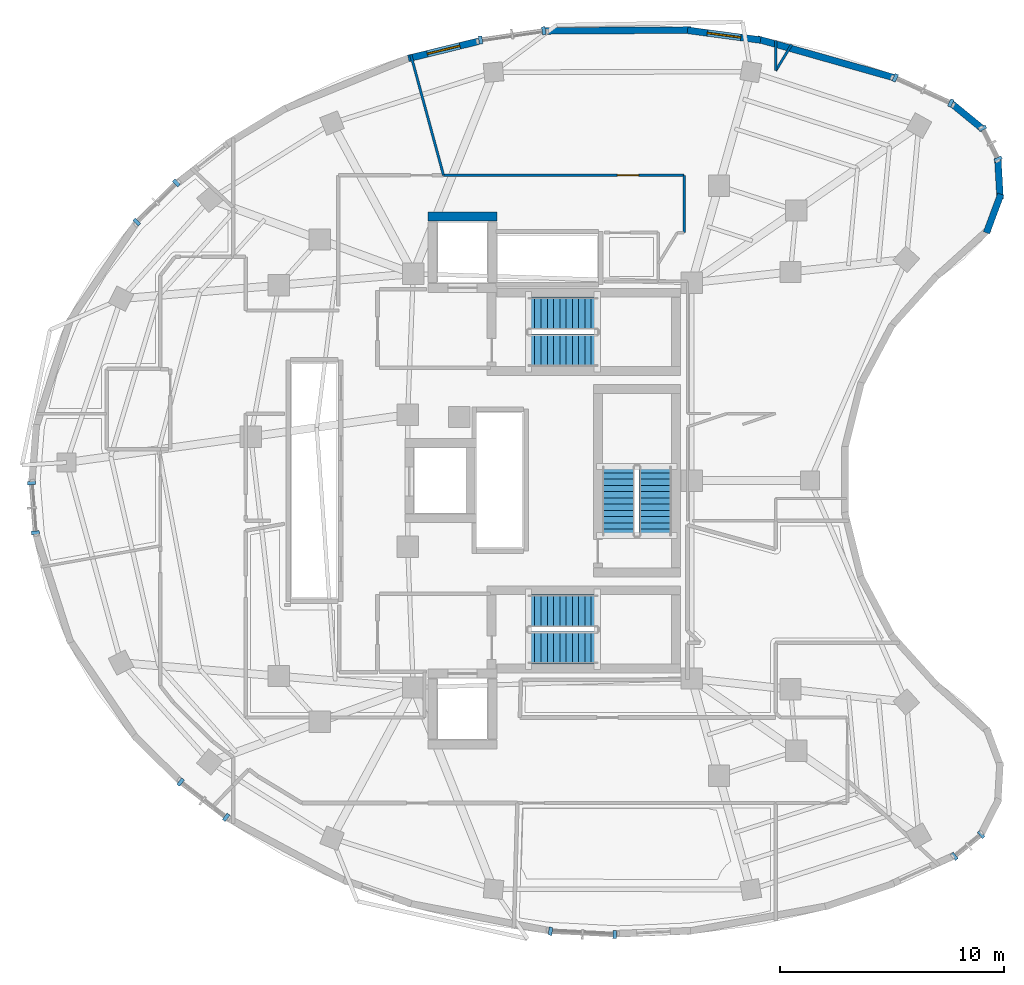
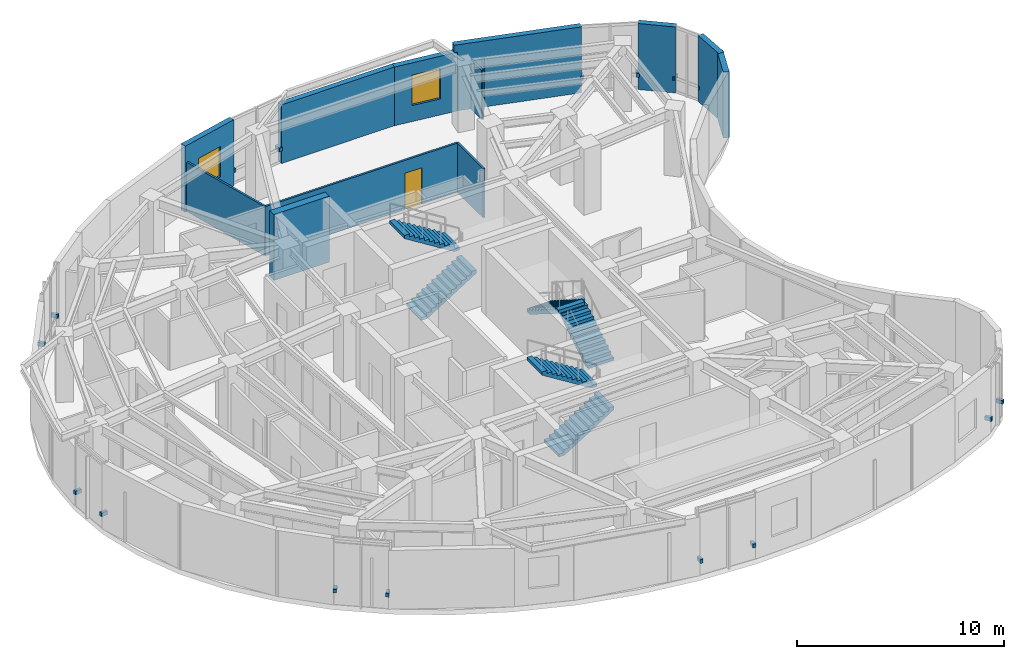
# One storey, part 10 of 13: 16 discrete accessories, 13 walls, 6 stair flights, 2 windows, 1 door, 3 openings, 3 elements without a shape of their own.
"""IFC4 building model written with IfcOpenShell, lengths in metres."""

from ifc_helpers import new_model, si_unit, direction, frame, frame_2d, origin, origin_2d, place, context, subcontext, project, spatial, polyline, rectangle, outline, extrude, material, layer, layer_set, type_object, element, fill, aggregate, save


model = new_model("IFC4")

# Units and contexts
model_context = context("Model", 3, precision=1e-05, world=origin(), true_north=direction((0.0, 1.0)))
body_context = subcontext(model_context, "Body", "Model", "MODEL_VIEW")
ifc_project = project(units=[si_unit("LENGTHUNIT", "METRE"), si_unit("AREAUNIT", "SQUARE_METRE"), si_unit("VOLUMEUNIT", "CUBIC_METRE"), si_unit("PLANEANGLEUNIT", "RADIAN"), si_unit("MASSUNIT", "GRAM", prefix="KILO")], contexts=[model_context])

# Site, building, storey
site_placement = place(None, origin())
site = spatial("IfcSite", under=ifc_project, at=site_placement, CompositionType="ELEMENT")
building_placement = place(site_placement, origin())
building = spatial("IfcBuilding", under=site, at=building_placement, Name="Korentha Bioscience Tower", CompositionType="ELEMENT")
storey_placement = place(building_placement, frame((0.0, 0.0, 260.39990234375)))
storey = spatial("IfcBuildingStorey", under=building, at=storey_placement, Name="L60", CompositionType="ELEMENT", Elevation=260.39990234375)

# Wall, opening, door
ifc_material_1 = material(Name="Fire-Rated Framed Glass", Category="glass")
ifc_layer_1 = layer(ifc_material_1, 0.110107421875, Name="Fire-Rated Framed Glass")
ifc_layer_set_1 = layer_set([ifc_layer_1], Name="Fire-Rated Framed Glass (IW-G110)")
wall_type_1 = type_object("IfcWallType", Name="Demountable Glazed Office Partition 110", PredefinedType="MOVABLE", material=ifc_layer_set_1)
wall_1_placement = place(storey_placement, frame((37.199951171875, 40.659912109375, 0.0), z_axis=(0.0, 0.0, 1.0), x_axis=(-1.0, 0.0, 0.0)))
wall_1 = element("IfcWall", 1, at=wall_1_placement, inside=storey, type_object=wall_type_1, Name="L60 Postdoctoral Fellows' Quiet Study 09 Entrance Wall", PredefinedType="MOVABLE", context=body_context, shape_type="SweptSolid", body=[
    extrude(rectangle(XDim=10.749755859375, YDim=0.110107421875, at=frame_2d((5.375, 0.0))), origin(), (0.0, 0.0, 1.0), 2.91015625),
])
opening_1_placement = place(wall_1_placement, frame((2.022705078125, 0.0, 0.0)))
opening_1 = element("IfcOpeningElement", 2, at=opening_1_placement, cuts=wall_1, Name="Opening ID-10L", PredefinedType="OPENING", context=body_context, shape_type="SweptSolid", body=[
    extrude(rectangle(XDim=0.949951171875, YDim=2.14990234375, at=frame_2d((0.47509765625, 1.074951171875))), frame((0.0, 0.06982421875, 0.0), z_axis=(0.0, -1.0, 0.0), x_axis=(1.0, 0.0, 0.0)), (0.0, 0.0, 1.0), 0.139892578125),
])
ifc_material_2 = material(Name="Phenolic Laminate Timber Core", Category="wood")
door_type = type_object("IfcDoorType", Name="Laboratory Single Leaf Door 950x2150 Left", OperationType="SINGLE_SWING_LEFT", PredefinedType="DOOR", material=ifc_material_2)
door_placement = place(opening_1_placement, origin())
door = element("IfcDoor", 3, at=door_placement, inside=storey, type_object=door_type, Name="L60 Postdoctoral Fellows' Quiet Study 09 Door", OperationType="SINGLE_SWING_LEFT", OverallHeight=2.14990234375, OverallWidth=0.949951171875, PredefinedType="DOOR", context=body_context, shape_type="SweptSolid", body=[
    extrude(rectangle(XDim=0.949951171875, YDim=2.14990234375, at=frame_2d((0.47509765625, 1.074951171875))), frame((0.0, 0.02490234375, 0.0), z_axis=(0.0, -1.0, 0.0), x_axis=(1.0, 0.0, 0.0)), (0.0, 0.0, 1.0), 0.050048828125),
])
fill(opening_1, door)

# Walls
wall_2_placement = place(storey_placement, frame((41.298095703125, 46.6708984375, 0.0), z_axis=(0.0, 0.0, 1.0), x_axis=(0.0, -1.0, 0.0)))
element("IfcWall", 4, at=wall_2_placement, inside=storey, type_object=wall_type_1, Name="L60 Interior Partition 056", PredefinedType="MOVABLE", context=body_context, shape_type="SweptSolid", body=[
    extrude(rectangle(XDim=1.3408203125, YDim=0.110107421875, at=frame_2d((0.67041015625, 0.0))), origin(), (0.0, 0.0, 1.0), 2.91015625),
])
wall_3_placement = place(storey_placement, frame((41.305419921875, 45.327880859375, 0.0), z_axis=(0.0, 0.0, 1.0), x_axis=(0.519522541731, 0.854456744741, 0.0)))
element("IfcWall", 5, at=wall_3_placement, inside=storey, type_object=wall_type_1, Name="L60 Interior Partition 057", PredefinedType="MOVABLE", context=body_context, shape_type="SweptSolid", body=[
    extrude(rectangle(XDim=1.368896484375, YDim=0.110107421875, at=frame_2d((0.6845703125, 0.0))), origin(), (0.0, 0.0, 1.0), 2.91015625),
])
wall_4_placement = place(storey_placement, frame((37.2099609375, 38.10009765625, 0.0), z_axis=(0.0, 0.0, 1.0), x_axis=(0.0, 1.0, 0.0)))
element("IfcWall", 6, at=wall_4_placement, inside=storey, type_object=wall_type_1, Name="L60 Interior Partition 068", PredefinedType="MOVABLE", context=body_context, shape_type="SweptSolid", body=[
    extrude(rectangle(XDim=2.5498046875, YDim=0.110107421875, at=frame_2d((1.27490234375, 0.0))), origin(), (0.0, 0.0, 1.0), 2.91015625),
])
wall_5_placement = place(storey_placement, frame((26.4501953125, 40.659912109375, 0.0), z_axis=(0.0, 0.0, 1.0), x_axis=(-0.262158446876, 0.965024843583, 0.0)))
element("IfcWall", 7, at=wall_5_placement, inside=storey, type_object=wall_type_1, Name="L60 Interior Partition 069", PredefinedType="MOVABLE", context=body_context, shape_type="SweptSolid", body=[
    extrude(rectangle(XDim=5.580078125, YDim=0.110107421875, at=frame_2d((2.7900390625, 0.0))), origin(), (0.0, 0.0, 1.0), 2.91015625),
])

# Wall, opening, window
ifc_material_3 = material(Name="Honed Limestone Precast Concrete C40", Category="masonry")
ifc_layer_2 = layer(ifc_material_3, 0.300048828125, Name="Honed Limestone Precast Concrete C40")
ifc_layer_set_2 = layer_set([ifc_layer_2], Name="Honed Limestone Precast Concrete C40 (EW-ST300)")
wall_type_2 = type_object("IfcWallType", Name="Honed Limestone Cavity Spandrel Wall 300", PredefinedType="STANDARD", material=ifc_layer_set_2)
wall_6_placement = place(storey_placement, frame((40.623779296875, 46.697021484375, 0.0), z_axis=(0.0, 0.0, 1.0), x_axis=(-0.991126551491, 0.132921627022, 0.0)))
wall_6 = element("IfcWall", 8, at=wall_6_placement, inside=storey, type_object=wall_type_2, Name="L60 Honed Limestone Spandrel Wall 04", PredefinedType="STANDARD", context=body_context, shape_type="SweptSolid", body=[
    extrude(rectangle(XDim=3.29150390625, YDim=0.300048828125, at=frame_2d((1.645751953125, 0.0))), origin(), (0.0, 0.0, 1.0), 3.47021484375),
])
opening_2_placement = place(wall_6_placement, frame((0.895751953125, 0.0, 0.949951171875)))
opening_2 = element("IfcOpeningElement", 9, at=opening_2_placement, cuts=wall_6, Name="Opening WN-02", PredefinedType="OPENING", context=body_context, shape_type="SweptSolid", body=[
    extrude(rectangle(XDim=1.5, YDim=1.800048828125, at=frame_2d((0.75, 0.89990234375))), frame((0.0, 0.1650390625, 0.0), z_axis=(0.0, -1.0, 0.0), x_axis=(1.0, 0.0, 0.0)), (0.0, 0.0, 1.0), 0.329833984375),
])
ifc_material_4 = material(Name="Thermally Broken Aluminium Triple Glazing", Category="aluminium")
window_type = type_object("IfcWindowType", Name="Acoustic Operable Office Window 1500x1800", PartitioningType="DOUBLE_PANEL_VERTICAL", PredefinedType="WINDOW", material=ifc_material_4)
window_1_placement = place(opening_2_placement, origin())
window_1 = element("IfcWindow", 10, at=window_1_placement, inside=storey, type_object=window_type, Name="L60 Facade Window 04", OverallHeight=1.800048828125, OverallWidth=1.5, PartitioningType="DOUBLE_PANEL_VERTICAL", PredefinedType="WINDOW", context=body_context, shape_type="SweptSolid", body=[
    extrude(rectangle(XDim=1.5, YDim=1.800048828125, at=frame_2d((0.75, 0.89990234375))), frame((0.0, 0.030029296875, 0.0), z_axis=(0.0, -1.0, 0.0), x_axis=(1.0, 0.0, 0.0)), (0.0, 0.0, 1.0), 0.06005859375),
])
fill(opening_2, window_1)

wall_7_placement = place(storey_placement, frame((28.034912109375, 46.647216796875, 0.0), z_axis=(0.0, 0.0, 1.0), x_axis=(-0.971310768778, -0.237813772636, 0.0)))
wall_7 = element("IfcWall", 11, at=wall_7_placement, inside=storey, type_object=wall_type_2, Name="L60 Honed Limestone Spandrel Wall 08", PredefinedType="STANDARD", context=body_context, shape_type="SweptSolid", body=[
    extrude(rectangle(XDim=3.250244140625, YDim=0.300048828125, at=frame_2d((1.625, 0.0))), origin(), (0.0, 0.0, 1.0), 3.900146484375),
])
opening_3_placement = place(wall_7_placement, frame((0.875, 0.0, 0.949951171875)))
opening_3 = element("IfcOpeningElement", 12, at=opening_3_placement, cuts=wall_7, Name="Opening WN-02", PredefinedType="OPENING", context=body_context, shape_type="SweptSolid", body=[
    extrude(rectangle(XDim=1.5, YDim=1.800048828125, at=frame_2d((0.75, 0.89990234375))), frame((0.0, 0.1650390625, 0.0), z_axis=(0.0, -1.0, 0.0), x_axis=(1.0, 0.0, 0.0)), (0.0, 0.0, 1.0), 0.329833984375),
])
window_2_placement = place(opening_3_placement, origin())
window_2 = element("IfcWindow", 13, at=window_2_placement, inside=storey, type_object=window_type, Name="L60 Facade Window 08", OverallHeight=1.800048828125, OverallWidth=1.5, PartitioningType="DOUBLE_PANEL_VERTICAL", PredefinedType="WINDOW", context=body_context, shape_type="SweptSolid", body=[
    extrude(rectangle(XDim=1.5, YDim=1.800048828125, at=frame_2d((0.75, 0.89990234375))), frame((0.0, 0.030029296875, 0.0), z_axis=(0.0, -1.0, 0.0), x_axis=(1.0, 0.0, 0.0)), (0.0, 0.0, 1.0), 0.06005859375),
])
fill(opening_3, window_2)

# Walls
wall_8_placement = place(storey_placement, frame((46.6015625, 45.014404296875, 0.0), z_axis=(0.0, 0.0, 1.0), x_axis=(-0.962160382219, 0.272483758943, 0.0)))
element("IfcWall", 14, at=wall_8_placement, inside=storey, type_object=wall_type_2, Name="L60 Limestone Perimeter Closure Wall 02", PredefinedType="STANDARD", context=body_context, shape_type="SweptSolid", body=[
    extrude(rectangle(XDim=6.372314453125, YDim=0.300048828125, at=frame_2d((3.18603515625, 0.0))), origin(), (0.0, 0.0, 1.0), 3.900146484375),
])
wall_9_placement = place(storey_placement, frame((37.523193359375, 47.1455078125, 0.0), z_axis=(0.0, 0.0, 1.0), x_axis=(-0.999982107104, -0.005982095907, 0.0)))
element("IfcWall", 15, at=wall_9_placement, inside=storey, type_object=wall_type_2, Name="L60 Limestone Perimeter Closure Wall 05", PredefinedType="STANDARD", context=body_context, shape_type="SweptSolid", body=[
    extrude(rectangle(XDim=6.52978515625, YDim=0.300048828125, at=frame_2d((3.264892578125, 0.0))), origin(), (0.0, 0.0, 1.0), 3.47021484375),
])
for number, where, z_axis, x_axis, name in (
    (16, (50.726806640625, 38.08056640625, 0.0), (0.0, 0.0, 1.0), (0.348928688775, 0.937149278477, 0.0), "L60 Limestone Perimeter Closure Wall 59"),
    (17, (51.33740234375, 39.594482421875, 0.0), (0.0, 0.0, 1.0), (-0.057400886187, 0.998351209878, 0.0), "L60 Limestone Perimeter Closure Wall 60"),
    (18, (50.58544921875, 42.70068359375, 0.0), (0.0, 0.0, 1.0), (-0.774228937895, 0.63290564204, 0.0), "L60 Limestone Perimeter Closure Wall 62"),
):
    element("IfcWall", number, at=place(storey_placement, frame(where, z_axis=z_axis, x_axis=x_axis)), inside=storey, type_object=wall_type_2, Name=name, PredefinedType="STANDARD", context=body_context, shape_type="SweptSolid", body=[
        extrude(rectangle(XDim=1.841552734375, YDim=0.300048828125, at=frame_2d((0.9208984375, 0.0))), origin(), (0.0, 0.0, 1.0), 3.900146484375),
    ])
ifc_material_5 = material(Name="Concrete C65", Category="concrete")
ifc_layer_3 = layer(ifc_material_5, 0.39990234375, Name="Concrete C65")
ifc_layer_set_3 = layer_set([ifc_layer_3], Name="Concrete C65 (CW-C65)")
wall_type_3 = type_object("IfcWallType", Name="Mid-Rise Core Shear Wall 400", PredefinedType="SHEAR", material=ifc_layer_set_3)
wall_10_placement = place(storey_placement, frame((25.75, 38.800048828125, 0.0), z_axis=(0.0, 0.0, 1.0), x_axis=(1.0, 0.0, 0.0)))
element("IfcWall", 19, at=wall_10_placement, inside=storey, type_object=wall_type_3, Name="L60 Core Shear Wall FFL2-N", PredefinedType="SHEAR", context=body_context, shape_type="SweptSolid", body=[
    extrude(rectangle(XDim=3.10009765625, YDim=0.39990234375, at=frame_2d((1.550048828125, 0.0))), origin(), (0.0, 0.0, 1.0), 3.900146484375),
])

# Stair, stair flights
ifc_material_6 = material(Name="Precast Concrete C50", Category="concrete")
stair_type = type_object("IfcStairType", Name="Core Exit Dog-Leg Stair 1450", PredefinedType="HALF_TURN_STAIR", material=ifc_material_6)
stair_1_placement = place(storey_placement, origin())
stair_1 = element("IfcStair", 20, at=stair_1_placement, inside=storey, type_object=stair_type, Name="L60 Tower North Pressurized Exit Stair ST-1", PredefinedType="HALF_TURN_STAIR")
stair_flight_type = type_object("IfcStairFlightType", Name="Core Exit Dog-Leg Stair 1450 Flight", PredefinedType="STRAIGHT", material=ifc_material_6)
stair_flight_1_placement = place(storey_placement, frame((30.25, 32.824951171875, 0.0), z_axis=(0.0, 0.0, 1.0), x_axis=(1.0, 0.0, 0.0)))
stair_flight_1 = element("IfcStairFlight", 21, at=stair_flight_1_placement, type_object=stair_flight_type, Name="ST-1 flight 1", NumberOfRisers=12, NumberOfTreads=11, PredefinedType="STRAIGHT", RiserHeight=0.175, TreadLength=0.28, context=body_context, shape_type="SweptSolid", body=[
    extrude(outline(polyline([(0.0, 0.0), (0.0, 0.175048828125), (0.280029296875, 0.175048828125), (0.280029296875, 0.35009765625), (0.56005859375, 0.35009765625), (0.56005859375, 0.52490234375), (0.840087890625, 0.52490234375), (0.840087890625, 0.699951171875), (1.1201171875, 0.699951171875), (1.1201171875, 0.875), (1.39990234375, 0.875), (1.39990234375, 1.050048828125), (1.679931640625, 1.050048828125), (1.679931640625, 1.22509765625), (1.9599609375, 1.22509765625), (1.9599609375, 1.39990234375), (2.239990234375, 1.39990234375), (2.239990234375, 1.574951171875), (2.52001953125, 1.574951171875), (2.52001953125, 1.75), (2.800048828125, 1.75), (2.800048828125, 1.925048828125), (3.080078125, 1.925048828125), (3.080078125, 2.10009765625), (3.080078125, 1.736328125), (0.3017578125, 0.0), (0.0, 0.0)])), frame((0.0, 0.72509765625, 0.0), z_axis=(0.0, -1.0, 0.0), x_axis=(1.0, 0.0, 0.0)), (0.0, 0.0, 1.0), 1.449951171875),
])
stair_flight_2_placement = place(storey_placement, frame((33.330078125, 34.47509765625, 2.10009765625), z_axis=(0.0, 0.0, 1.0), x_axis=(-1.0, 0.0, 0.0)))
stair_flight_2 = element("IfcStairFlight", 22, at=stair_flight_2_placement, type_object=stair_flight_type, Name="ST-1 flight 2", NumberOfRisers=12, NumberOfTreads=11, PredefinedType="STRAIGHT", RiserHeight=0.175, TreadLength=0.28, context=body_context, shape_type="SweptSolid", body=[
    extrude(outline(polyline([(0.0, 0.0), (0.0, 0.175048828125), (0.280029296875, 0.175048828125), (0.280029296875, 0.35009765625), (0.56005859375, 0.35009765625), (0.56005859375, 0.52490234375), (0.840087890625, 0.52490234375), (0.840087890625, 0.699951171875), (1.1201171875, 0.699951171875), (1.1201171875, 0.875), (1.39990234375, 0.875), (1.39990234375, 1.050048828125), (1.679931640625, 1.050048828125), (1.679931640625, 1.22509765625), (1.9599609375, 1.22509765625), (1.9599609375, 1.39990234375), (2.239990234375, 1.39990234375), (2.239990234375, 1.574951171875), (2.52001953125, 1.574951171875), (2.52001953125, 1.75), (2.800048828125, 1.75), (2.800048828125, 1.925048828125), (3.080078125, 1.925048828125), (3.080078125, 2.10009765625), (3.080078125, 1.736328125), (0.3017578125, 0.0), (0.0, 0.0)])), frame((0.0, 0.72509765625, 0.0), z_axis=(0.0, -1.0, 0.0), x_axis=(1.0, 0.0, 0.0)), (0.0, 0.0, 1.0), 1.449951171875),
])
aggregate(stair_1, [stair_flight_1, stair_flight_2])

stair_2_placement = place(storey_placement, origin())
stair_2 = element("IfcStair", 23, at=stair_2_placement, inside=storey, type_object=stair_type, Name="L60 Tower South Pressurized Exit Stair ST-2", PredefinedType="HALF_TURN_STAIR")
stair_flight_3_placement = place(storey_placement, frame((30.25, 19.52490234375, 0.0), z_axis=(0.0, 0.0, 1.0), x_axis=(1.0, 0.0, 0.0)))
stair_flight_3 = element("IfcStairFlight", 24, at=stair_flight_3_placement, type_object=stair_flight_type, Name="ST-2 flight 1", NumberOfRisers=12, NumberOfTreads=11, PredefinedType="STRAIGHT", RiserHeight=0.175, TreadLength=0.28, context=body_context, shape_type="SweptSolid", body=[
    extrude(outline(polyline([(0.0, 0.0), (0.0, 0.175048828125), (0.280029296875, 0.175048828125), (0.280029296875, 0.35009765625), (0.56005859375, 0.35009765625), (0.56005859375, 0.52490234375), (0.840087890625, 0.52490234375), (0.840087890625, 0.699951171875), (1.1201171875, 0.699951171875), (1.1201171875, 0.875), (1.39990234375, 0.875), (1.39990234375, 1.050048828125), (1.679931640625, 1.050048828125), (1.679931640625, 1.22509765625), (1.9599609375, 1.22509765625), (1.9599609375, 1.39990234375), (2.239990234375, 1.39990234375), (2.239990234375, 1.574951171875), (2.52001953125, 1.574951171875), (2.52001953125, 1.75), (2.800048828125, 1.75), (2.800048828125, 1.925048828125), (3.080078125, 1.925048828125), (3.080078125, 2.10009765625), (3.080078125, 1.736328125), (0.3017578125, 0.0), (0.0, 0.0)])), frame((0.0, 0.72509765625, 0.0), z_axis=(0.0, -1.0, 0.0), x_axis=(1.0, 0.0, 0.0)), (0.0, 0.0, 1.0), 1.449951171875),
])
stair_flight_4_placement = place(storey_placement, frame((33.330078125, 21.175048828125, 2.10009765625), z_axis=(0.0, 0.0, 1.0), x_axis=(-1.0, 0.0, 0.0)))
stair_flight_4 = element("IfcStairFlight", 25, at=stair_flight_4_placement, type_object=stair_flight_type, Name="ST-2 flight 2", NumberOfRisers=12, NumberOfTreads=11, PredefinedType="STRAIGHT", RiserHeight=0.175, TreadLength=0.28, context=body_context, shape_type="SweptSolid", body=[
    extrude(outline(polyline([(0.0, 0.0), (0.0, 0.175048828125), (0.280029296875, 0.175048828125), (0.280029296875, 0.35009765625), (0.56005859375, 0.35009765625), (0.56005859375, 0.52490234375), (0.840087890625, 0.52490234375), (0.840087890625, 0.699951171875), (1.1201171875, 0.699951171875), (1.1201171875, 0.875), (1.39990234375, 0.875), (1.39990234375, 1.050048828125), (1.679931640625, 1.050048828125), (1.679931640625, 1.22509765625), (1.9599609375, 1.22509765625), (1.9599609375, 1.39990234375), (2.239990234375, 1.39990234375), (2.239990234375, 1.574951171875), (2.52001953125, 1.574951171875), (2.52001953125, 1.75), (2.800048828125, 1.75), (2.800048828125, 1.925048828125), (3.080078125, 1.925048828125), (3.080078125, 2.10009765625), (3.080078125, 1.736328125), (0.3017578125, 0.0), (0.0, 0.0)])), frame((0.0, 0.72509765625, 0.0), z_axis=(0.0, -1.0, 0.0), x_axis=(1.0, 0.0, 0.0)), (0.0, 0.0, 1.0), 1.449951171875),
])
aggregate(stair_2, [stair_flight_3, stair_flight_4])

stair_3_placement = place(storey_placement, origin())
stair_3 = element("IfcStair", 26, at=stair_3_placement, inside=storey, type_object=stair_type, Name="L60 Tower Central Pressurized Exit Stair ST-3", PredefinedType="HALF_TURN_STAIR")
stair_flight_5_placement = place(storey_placement, frame((35.925048828125, 24.550048828125, 0.0), z_axis=(0.0, 0.0, 1.0), x_axis=(0.0, 1.0, 0.0)))
stair_flight_5 = element("IfcStairFlight", 27, at=stair_flight_5_placement, type_object=stair_flight_type, Name="ST-3 flight 1", NumberOfRisers=12, NumberOfTreads=11, PredefinedType="STRAIGHT", RiserHeight=0.175, TreadLength=0.28, context=body_context, shape_type="SweptSolid", body=[
    extrude(outline(polyline([(0.0, 0.0), (0.0, 0.175048828125), (0.280029296875, 0.175048828125), (0.280029296875, 0.35009765625), (0.56005859375, 0.35009765625), (0.56005859375, 0.52490234375), (0.840087890625, 0.52490234375), (0.840087890625, 0.699951171875), (1.1201171875, 0.699951171875), (1.1201171875, 0.875), (1.39990234375, 0.875), (1.39990234375, 1.050048828125), (1.679931640625, 1.050048828125), (1.679931640625, 1.22509765625), (1.9599609375, 1.22509765625), (1.9599609375, 1.39990234375), (2.239990234375, 1.39990234375), (2.239990234375, 1.574951171875), (2.52001953125, 1.574951171875), (2.52001953125, 1.75), (2.800048828125, 1.75), (2.800048828125, 1.925048828125), (3.080078125, 1.925048828125), (3.080078125, 2.10009765625), (3.080078125, 1.736328125), (0.3017578125, 0.0), (0.0, 0.0)])), frame((0.0, 0.72509765625, 0.0), z_axis=(0.0, -1.0, 0.0), x_axis=(1.0, 0.0, 0.0)), (0.0, 0.0, 1.0), 1.449951171875),
])
stair_flight_6_placement = place(storey_placement, frame((34.27490234375, 27.6298828125, 2.10009765625), z_axis=(0.0, 0.0, 1.0), x_axis=(0.0, -1.0, 0.0)))
stair_flight_6 = element("IfcStairFlight", 28, at=stair_flight_6_placement, type_object=stair_flight_type, Name="ST-3 flight 2", NumberOfRisers=12, NumberOfTreads=11, PredefinedType="STRAIGHT", RiserHeight=0.175, TreadLength=0.28, context=body_context, shape_type="SweptSolid", body=[
    extrude(outline(polyline([(0.0, 0.0), (0.0, 0.175048828125), (0.280029296875, 0.175048828125), (0.280029296875, 0.35009765625), (0.56005859375, 0.35009765625), (0.56005859375, 0.52490234375), (0.840087890625, 0.52490234375), (0.840087890625, 0.699951171875), (1.1201171875, 0.699951171875), (1.1201171875, 0.875), (1.39990234375, 0.875), (1.39990234375, 1.050048828125), (1.679931640625, 1.050048828125), (1.679931640625, 1.22509765625), (1.9599609375, 1.22509765625), (1.9599609375, 1.39990234375), (2.239990234375, 1.39990234375), (2.239990234375, 1.574951171875), (2.52001953125, 1.574951171875), (2.52001953125, 1.75), (2.800048828125, 1.75), (2.800048828125, 1.925048828125), (3.080078125, 1.925048828125), (3.080078125, 2.10009765625), (3.080078125, 1.736328125), (0.3017578125, 0.0), (0.0, 0.0)])), frame((0.0, 0.72509765625, 0.0), z_axis=(0.0, -1.0, 0.0), x_axis=(1.0, 0.0, 0.0)), (0.0, 0.0, 1.0), 1.449951171875),
])
aggregate(stair_3, [stair_flight_5, stair_flight_6])

# Discrete accessories
ifc_material_7 = material(Name="Stainless Steel 316", Category="steel")
discrete_accessory_type = type_object("IfcDiscreteAccessoryType", Name="Stainless Steel Solar-Screen Outrigger Bracket", PredefinedType="BRACKET", material=ifc_material_7)
for number, where, z_axis, x_axis, name in (
    (29, (49.1318359375, 43.884033203125, 0.740234375), (0.0, 0.0, 1.0), (-0.910604060449, 0.413279862918, 0.0), "CW-L60-01 Solar-Screen Support Bracket 1"),
    (30, (46.650146484375, 45.010498046875, 0.740234375), (0.0, 0.0, 1.0), (-0.910604060449, 0.413279862918, 0.0), "CW-L60-01 Solar-Screen Support Bracket 2"),
    (31, (30.935302734375, 47.11572265625, 0.740234375), (0.0, 0.0, 1.0), (-0.989459665324, -0.144808738328, 0.0), "CW-L60-07 Solar-Screen Support Bracket 1"),
    (32, (28.107666015625, 46.701904296875, 0.740234375), (0.0, 0.0, 1.0), (-0.989459665324, -0.144808738328, 0.0), "CW-L60-07 Solar-Screen Support Bracket 2"),
    (33, (14.5087890625, 40.3125, 0.740234375), (0.0, 0.0, 1.0), (-0.711397700041, -0.702789664392, 0.0), "CW-L60-13 Solar-Screen Support Bracket 1"),
    (34, (12.734130859375, 38.5595703125, 0.740234375), (0.0, 0.0, 1.0), (-0.711397700041, -0.702789664392, 0.0), "CW-L60-13 Solar-Screen Support Bracket 2"),
    (35, (8.02734375, 26.896728515625, 0.740234375), (0.0, 0.0, 1.0), (0.078035250492, -0.996950600421, 0.0), "CW-L60-19 Solar-Screen Support Bracket 1"),
    (36, (8.20166015625, 24.671875, 0.740234375), (0.0, 0.0, 1.0), (0.078035250492, -0.996950600421, 0.0), "CW-L60-19 Solar-Screen Support Bracket 2"),
    (37, (14.6982421875, 13.52197265625, 0.740234375), (0.0, 0.0, 1.0), (0.790487520139, -0.612478146961, 0.0), "CW-L60-25 Solar-Screen Support Bracket 1"),
    (38, (16.7314453125, 11.946533203125, 0.740234375), (0.0, 0.0, 1.0), (0.790487520139, -0.612478146961, 0.0), "CW-L60-25 Solar-Screen Support Bracket 2"),
    (39, (31.234375, 6.854736328125, 0.740234375), (0.0, 0.0, 1.0), (0.998636113937, -0.052210266622, 0.0), "CW-L60-31 Solar-Screen Support Bracket 1"),
    (40, (34.10595703125, 6.70458984375, 0.740234375), (0.0, 0.0, 1.0), (0.998636113937, -0.052210266622, 0.0), "CW-L60-31 Solar-Screen Support Bracket 2"),
    (41, (49.29150390625, 10.202880859375, 0.740234375), (0.0, 0.0, 1.0), (0.774235415138, 0.632897718393, 0.0), "CW-L60-37 Solar-Screen Support Bracket 1"),
    (42, (50.49169921875, 11.18408203125, 0.740234375), (0.0, 0.0, 1.0), (0.774235415138, 0.632897718393, 0.0), "CW-L60-37 Solar-Screen Support Bracket 2"),
    (43, (51.248291015625, 41.3701171875, 0.740234375), (0.0, 0.0, 1.0), (-0.454238686477, 0.890880023184, 0.0), "CW-L60-61 Solar-Screen Support Bracket 1"),
    (44, (50.544189453125, 42.7509765625, 0.740234375), (0.0, 0.0, 1.0), (-0.454238686477, 0.890880023184, 0.0), "CW-L60-61 Solar-Screen Support Bracket 2"),
):
    element("IfcDiscreteAccessory", number, at=place(storey_placement, frame(where, z_axis=z_axis, x_axis=x_axis)), inside=storey, type_object=discrete_accessory_type, Name=name, PredefinedType="BRACKET", context=body_context, shape_type="SweptSolid", body=[
        extrude(rectangle(XDim=0.159912109375, YDim=0.360107421875, at=origin_2d()), origin(), (0.0, 0.0, 1.0), 0.219970703125),
    ])

save(model, "model.ifc")
